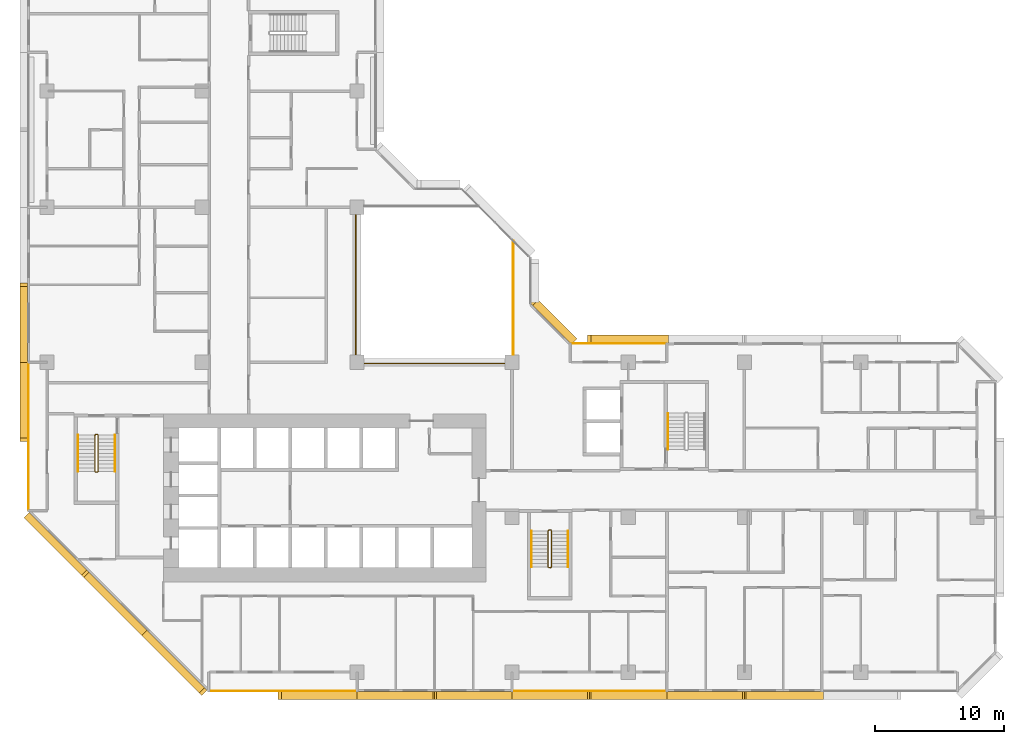
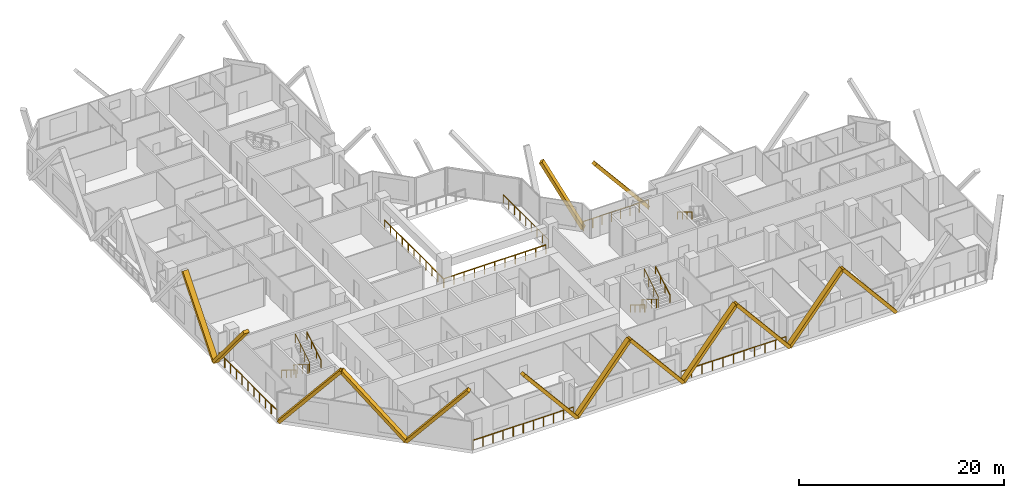
# One storey, part 14 of 15: 14 coverings, 13 railings.
"""IFC4 building model written with IfcOpenShell, lengths in metres."""

from ifc_helpers import new_model, si_unit, direction, frame, origin, origin_2d, place, context, subcontext, project, spatial, rectangle, extrude, material, material_profile, profile_set, type_object, element, save


model = new_model("IFC4")

# Units and contexts
model_context = context("Model", 3, precision=1e-05, world=origin(), true_north=direction((0.0, 1.0)))
body_context = subcontext(model_context, "Body", "Model", "MODEL_VIEW")
ifc_project = project(units=[si_unit("LENGTHUNIT", "METRE"), si_unit("AREAUNIT", "SQUARE_METRE"), si_unit("VOLUMEUNIT", "CUBIC_METRE"), si_unit("PLANEANGLEUNIT", "RADIAN"), si_unit("MASSUNIT", "GRAM", prefix="KILO")], contexts=[model_context])

# Site, building, storey
site_placement = place(None, origin())
site = spatial("IfcSite", under=ifc_project, at=site_placement, CompositionType="ELEMENT")
building_placement = place(site_placement, origin())
building = spatial("IfcBuilding", under=site, at=building_placement, Name="Chenar Terraces", CompositionType="ELEMENT")
storey_placement = place(building_placement, frame((0.0, 0.0, 41.39990234375)))
storey = spatial("IfcBuildingStorey", under=building, at=storey_placement, Name="L07", CompositionType="ELEMENT", Elevation=41.39990234375)

# Railings
ifc_material_1 = material(Name="Powder-coated steel", Category="steel")
railing_type_1 = type_object("IfcRailingType", Name="Guard 1100 steel rail with glass infill", PredefinedType="GUARDRAIL", material=ifc_material_1)
railing_1_placement = place(storey_placement, frame((23.89990234375, 35.449951171875, 0.0)))
element("IfcRailing", 1, at=railing_1_placement, inside=storey, type_object=railing_type_1, Name="Guard L07-1", PredefinedType="GUARDRAIL", context=body_context, shape_type="SweptSolid", body=[
    extrude(rectangle(XDim=0.06005859375, YDim=0.06005859375, at=origin_2d()), frame((0.0, 0.0, 1.070068359375), z_axis=(0.0, -1.0, 0.0), x_axis=(1.0, 0.0, 0.0)), (0.0, 0.0, 1.0), 11.550048828125),
    extrude(rectangle(XDim=0.06005859375, YDim=0.06005859375, at=origin_2d()), frame((0.0, -11.550048828125, 1.070068359375), z_axis=(1.0, 0.0, 0.0), x_axis=(0.0, 1.0, 0.0)), (0.0, 0.0, 1.0), 11.550048828125),
    extrude(rectangle(XDim=0.050048828125, YDim=0.050048828125, at=origin_2d()), origin(), (0.0, 0.0, 1.0), 1.0400390625),
    extrude(rectangle(XDim=0.050048828125, YDim=0.050048828125, at=origin_2d()), frame((0.0, -1.155029296875, 0.0)), (0.0, 0.0, 1.0), 1.0400390625),
    extrude(rectangle(XDim=0.050048828125, YDim=0.050048828125, at=origin_2d()), frame((0.0, -2.31005859375, 0.0)), (0.0, 0.0, 1.0), 1.0400390625),
    extrude(rectangle(XDim=0.050048828125, YDim=0.050048828125, at=origin_2d()), frame((0.0, -3.465087890625, 0.0)), (0.0, 0.0, 1.0), 1.0400390625),
    extrude(rectangle(XDim=0.050048828125, YDim=0.050048828125, at=origin_2d()), frame((0.0, -4.6201171875, 0.0)), (0.0, 0.0, 1.0), 1.0400390625),
    extrude(rectangle(XDim=0.050048828125, YDim=0.050048828125, at=origin_2d()), frame((0.0, -5.77490234375, 0.0)), (0.0, 0.0, 1.0), 1.0400390625),
    extrude(rectangle(XDim=0.050048828125, YDim=0.050048828125, at=origin_2d()), frame((0.0, -6.929931640625, 0.0)), (0.0, 0.0, 1.0), 1.0400390625),
    extrude(rectangle(XDim=0.050048828125, YDim=0.050048828125, at=origin_2d()), frame((0.0, -8.0849609375, 0.0)), (0.0, 0.0, 1.0), 1.0400390625),
    extrude(rectangle(XDim=0.050048828125, YDim=0.050048828125, at=origin_2d()), frame((0.0, -9.239990234375, 0.0)), (0.0, 0.0, 1.0), 1.0400390625),
    extrude(rectangle(XDim=0.050048828125, YDim=0.050048828125, at=origin_2d()), frame((0.0, -10.39501953125, 0.0)), (0.0, 0.0, 1.0), 1.0400390625),
    extrude(rectangle(XDim=0.050048828125, YDim=0.050048828125, at=origin_2d()), frame((0.0, -11.550048828125, 0.0)), (0.0, 0.0, 1.0), 1.0400390625),
    extrude(rectangle(XDim=0.050048828125, YDim=0.050048828125, at=origin_2d()), frame((1.155029296875, -11.550048828125, 0.0)), (0.0, 0.0, 1.0), 1.0400390625),
    extrude(rectangle(XDim=0.050048828125, YDim=0.050048828125, at=origin_2d()), frame((2.31005859375, -11.550048828125, 0.0)), (0.0, 0.0, 1.0), 1.0400390625),
    extrude(rectangle(XDim=0.050048828125, YDim=0.050048828125, at=origin_2d()), frame((3.465087890625, -11.550048828125, 0.0)), (0.0, 0.0, 1.0), 1.0400390625),
    extrude(rectangle(XDim=0.050048828125, YDim=0.050048828125, at=origin_2d()), frame((4.6201171875, -11.550048828125, 0.0)), (0.0, 0.0, 1.0), 1.0400390625),
    extrude(rectangle(XDim=0.050048828125, YDim=0.050048828125, at=origin_2d()), frame((5.77490234375, -11.550048828125, 0.0)), (0.0, 0.0, 1.0), 1.0400390625),
    extrude(rectangle(XDim=0.050048828125, YDim=0.050048828125, at=origin_2d()), frame((6.929931640625, -11.550048828125, 0.0)), (0.0, 0.0, 1.0), 1.0400390625),
    extrude(rectangle(XDim=0.050048828125, YDim=0.050048828125, at=origin_2d()), frame((8.0849609375, -11.550048828125, 0.0)), (0.0, 0.0, 1.0), 1.0400390625),
    extrude(rectangle(XDim=0.050048828125, YDim=0.050048828125, at=origin_2d()), frame((9.239990234375, -11.550048828125, 0.0)), (0.0, 0.0, 1.0), 1.0400390625),
    extrude(rectangle(XDim=0.050048828125, YDim=0.050048828125, at=origin_2d()), frame((10.39501953125, -11.550048828125, 0.0)), (0.0, 0.0, 1.0), 1.0400390625),
    extrude(rectangle(XDim=0.050048828125, YDim=0.050048828125, at=origin_2d()), frame((11.550048828125, -11.550048828125, 0.0)), (0.0, 0.0, 1.0), 1.0400390625),
])
railing_2_placement = place(storey_placement, frame((36.10009765625, 24.60009765625, 0.0)))
element("IfcRailing", 2, at=railing_2_placement, inside=storey, type_object=railing_type_1, Name="Guard L07-3", PredefinedType="GUARDRAIL", context=body_context, shape_type="SweptSolid", body=[
    extrude(rectangle(XDim=0.06005859375, YDim=0.06005859375, at=origin_2d()), frame((0.0, 0.0, 1.070068359375), z_axis=(0.0, 1.0, 0.0), x_axis=(-1.0, 0.0, 0.0)), (0.0, 0.0, 1.0), 8.7998046875),
    extrude(rectangle(XDim=0.050048828125, YDim=0.050048828125, at=origin_2d()), origin(), (0.0, 0.0, 1.0), 1.0400390625),
    extrude(rectangle(XDim=0.050048828125, YDim=0.050048828125, at=origin_2d()), frame((0.0, 1.10009765625, 0.0)), (0.0, 0.0, 1.0), 1.0400390625),
    extrude(rectangle(XDim=0.050048828125, YDim=0.050048828125, at=origin_2d()), frame((0.0, 2.199951171875, 0.0)), (0.0, 0.0, 1.0), 1.0400390625),
    extrude(rectangle(XDim=0.050048828125, YDim=0.050048828125, at=origin_2d()), frame((0.0, 3.2998046875, 0.0)), (0.0, 0.0, 1.0), 1.0400390625),
    extrude(rectangle(XDim=0.050048828125, YDim=0.050048828125, at=origin_2d()), frame((0.0, 4.39990234375, 0.0)), (0.0, 0.0, 1.0), 1.0400390625),
    extrude(rectangle(XDim=0.050048828125, YDim=0.050048828125, at=origin_2d()), frame((0.0, 5.5, 0.0)), (0.0, 0.0, 1.0), 1.0400390625),
    extrude(rectangle(XDim=0.050048828125, YDim=0.050048828125, at=origin_2d()), frame((0.0, 6.599853515625, 0.0)), (0.0, 0.0, 1.0), 1.0400390625),
    extrude(rectangle(XDim=0.050048828125, YDim=0.050048828125, at=origin_2d()), frame((0.0, 7.69970703125, 0.0)), (0.0, 0.0, 1.0), 1.0400390625),
    extrude(rectangle(XDim=0.050048828125, YDim=0.050048828125, at=origin_2d()), frame((0.0, 8.7998046875, 0.0)), (0.0, 0.0, 1.0), 1.0400390625),
])
ifc_material_2 = material(Name="Stainless steel and glass", Category="steel")
railing_type_2 = type_object("IfcRailingType", Name="Loggia guard 1150", PredefinedType="GUARDRAIL", material=ifc_material_2)
railing_3_placement = place(storey_placement, frame((47.925048828125, 25.449951171875, 0.0)))
element("IfcRailing", 3, at=railing_3_placement, inside=storey, type_object=railing_type_2, Name="Loggia guard", PredefinedType="GUARDRAIL", context=body_context, shape_type="SweptSolid", body=[
    extrude(rectangle(XDim=0.048095703125, YDim=0.048095703125, at=origin_2d()), frame((0.0, 0.0, 1.1259765625), z_axis=(-1.0, 0.0, 0.0), x_axis=(0.0, -1.0, 0.0)), (0.0, 0.0, 1.0), 7.35009765625),
    extrude(rectangle(XDim=0.0419921875, YDim=0.0419921875, at=origin_2d()), origin(), (0.0, 0.0, 1.0), 1.101806640625),
    extrude(rectangle(XDim=0.0419921875, YDim=0.0419921875, at=origin_2d()), frame((-1.050048828125, 0.0, 0.0)), (0.0, 0.0, 1.0), 1.101806640625),
    extrude(rectangle(XDim=0.0419921875, YDim=0.0419921875, at=origin_2d()), frame((-2.10009765625, 0.0, 0.0)), (0.0, 0.0, 1.0), 1.101806640625),
    extrude(rectangle(XDim=0.0419921875, YDim=0.0419921875, at=origin_2d()), frame((-3.150146484375, 0.0, 0.0)), (0.0, 0.0, 1.0), 1.101806640625),
    extrude(rectangle(XDim=0.0419921875, YDim=0.0419921875, at=origin_2d()), frame((-4.199951171875, 0.0, 0.0)), (0.0, 0.0, 1.0), 1.101806640625),
    extrude(rectangle(XDim=0.0419921875, YDim=0.0419921875, at=origin_2d()), frame((-5.25, 0.0, 0.0)), (0.0, 0.0, 1.0), 1.101806640625),
    extrude(rectangle(XDim=0.0419921875, YDim=0.0419921875, at=origin_2d()), frame((-6.300048828125, 0.0, 0.0)), (0.0, 0.0, 1.0), 1.101806640625),
    extrude(rectangle(XDim=0.0419921875, YDim=0.0419921875, at=origin_2d()), frame((-7.35009765625, 0.0, 0.0)), (0.0, 0.0, 1.0), 1.101806640625),
])
railing_4_placement = place(storey_placement, frame((12.574951171875, -1.449951171875, 0.0)))
element("IfcRailing", 4, at=railing_4_placement, inside=storey, type_object=railing_type_2, Name="Loggia guard", PredefinedType="GUARDRAIL", context=body_context, shape_type="SweptSolid", body=[
    extrude(rectangle(XDim=0.048095703125, YDim=0.048095703125, at=origin_2d()), frame((0.0, 0.0, 1.1259765625), z_axis=(1.0, 0.0, 0.0), x_axis=(0.0, 1.0, 0.0)), (0.0, 0.0, 1.0), 11.35009765625),
    extrude(rectangle(XDim=0.0419921875, YDim=0.0419921875, at=origin_2d()), origin(), (0.0, 0.0, 1.0), 1.101806640625),
    extrude(rectangle(XDim=0.0419921875, YDim=0.0419921875, at=origin_2d()), frame((1.135009765625, 0.0, 0.0)), (0.0, 0.0, 1.0), 1.101806640625),
    extrude(rectangle(XDim=0.0419921875, YDim=0.0419921875, at=origin_2d()), frame((2.27001953125, 0.0, 0.0)), (0.0, 0.0, 1.0), 1.101806640625),
    extrude(rectangle(XDim=0.0419921875, YDim=0.0419921875, at=origin_2d()), frame((3.405029296875, 0.0, 0.0)), (0.0, 0.0, 1.0), 1.101806640625),
    extrude(rectangle(XDim=0.0419921875, YDim=0.0419921875, at=origin_2d()), frame((4.5400390625, 0.0, 0.0)), (0.0, 0.0, 1.0), 1.101806640625),
    extrude(rectangle(XDim=0.0419921875, YDim=0.0419921875, at=origin_2d()), frame((5.675048828125, 0.0, 0.0)), (0.0, 0.0, 1.0), 1.101806640625),
    extrude(rectangle(XDim=0.0419921875, YDim=0.0419921875, at=origin_2d()), frame((6.81005859375, 0.0, 0.0)), (0.0, 0.0, 1.0), 1.101806640625),
    extrude(rectangle(XDim=0.0419921875, YDim=0.0419921875, at=origin_2d()), frame((7.945068359375, 0.0, 0.0)), (0.0, 0.0, 1.0), 1.101806640625),
    extrude(rectangle(XDim=0.0419921875, YDim=0.0419921875, at=origin_2d()), frame((9.080078125, 0.0, 0.0)), (0.0, 0.0, 1.0), 1.101806640625),
    extrude(rectangle(XDim=0.0419921875, YDim=0.0419921875, at=origin_2d()), frame((10.215087890625, 0.0, 0.0)), (0.0, 0.0, 1.0), 1.101806640625),
    extrude(rectangle(XDim=0.0419921875, YDim=0.0419921875, at=origin_2d()), frame((11.35009765625, 0.0, 0.0)), (0.0, 0.0, 1.0), 1.101806640625),
])
railing_5_placement = place(storey_placement, frame((36.074951171875, -1.449951171875, 0.0)))
element("IfcRailing", 5, at=railing_5_placement, inside=storey, type_object=railing_type_2, Name="Loggia guard", PredefinedType="GUARDRAIL", context=body_context, shape_type="SweptSolid", body=[
    extrude(rectangle(XDim=0.048095703125, YDim=0.048095703125, at=origin_2d()), frame((0.0, 0.0, 1.1259765625), z_axis=(1.0, 0.0, 0.0), x_axis=(0.0, 1.0, 0.0)), (0.0, 0.0, 1.0), 11.85009765625),
    extrude(rectangle(XDim=0.0419921875, YDim=0.0419921875, at=origin_2d()), origin(), (0.0, 0.0, 1.0), 1.101806640625),
    extrude(rectangle(XDim=0.0419921875, YDim=0.0419921875, at=origin_2d()), frame((1.18505859375, 0.0, 0.0)), (0.0, 0.0, 1.0), 1.101806640625),
    extrude(rectangle(XDim=0.0419921875, YDim=0.0419921875, at=origin_2d()), frame((2.3701171875, 0.0, 0.0)), (0.0, 0.0, 1.0), 1.101806640625),
    extrude(rectangle(XDim=0.0419921875, YDim=0.0419921875, at=origin_2d()), frame((3.554931640625, 0.0, 0.0)), (0.0, 0.0, 1.0), 1.101806640625),
    extrude(rectangle(XDim=0.0419921875, YDim=0.0419921875, at=origin_2d()), frame((4.739990234375, 0.0, 0.0)), (0.0, 0.0, 1.0), 1.101806640625),
    extrude(rectangle(XDim=0.0419921875, YDim=0.0419921875, at=origin_2d()), frame((5.925048828125, 0.0, 0.0)), (0.0, 0.0, 1.0), 1.101806640625),
    extrude(rectangle(XDim=0.0419921875, YDim=0.0419921875, at=origin_2d()), frame((7.110107421875, 0.0, 0.0)), (0.0, 0.0, 1.0), 1.101806640625),
    extrude(rectangle(XDim=0.0419921875, YDim=0.0419921875, at=origin_2d()), frame((8.295166015625, 0.0, 0.0)), (0.0, 0.0, 1.0), 1.101806640625),
    extrude(rectangle(XDim=0.0419921875, YDim=0.0419921875, at=origin_2d()), frame((9.47998046875, 0.0, 0.0)), (0.0, 0.0, 1.0), 1.101806640625),
    extrude(rectangle(XDim=0.0419921875, YDim=0.0419921875, at=origin_2d()), frame((10.6650390625, 0.0, 0.0)), (0.0, 0.0, 1.0), 1.101806640625),
    extrude(rectangle(XDim=0.0419921875, YDim=0.0419921875, at=origin_2d()), frame((11.85009765625, 0.0, 0.0)), (0.0, 0.0, 1.0), 1.101806640625),
])
railing_6_placement = place(storey_placement, frame((-1.449951171875, 23.925048828125, 0.0)))
element("IfcRailing", 6, at=railing_6_placement, inside=storey, type_object=railing_type_2, Name="Loggia guard", PredefinedType="GUARDRAIL", context=body_context, shape_type="SweptSolid", body=[
    extrude(rectangle(XDim=0.048095703125, YDim=0.048095703125, at=origin_2d()), frame((0.0, 0.0, 1.1259765625), z_axis=(0.0, -1.0, 0.0), x_axis=(1.0, 0.0, 0.0)), (0.0, 0.0, 1.0), 11.35009765625),
    extrude(rectangle(XDim=0.0419921875, YDim=0.0419921875, at=origin_2d()), origin(), (0.0, 0.0, 1.0), 1.101806640625),
    extrude(rectangle(XDim=0.0419921875, YDim=0.0419921875, at=origin_2d()), frame((0.0, -1.135009765625, 0.0)), (0.0, 0.0, 1.0), 1.101806640625),
    extrude(rectangle(XDim=0.0419921875, YDim=0.0419921875, at=origin_2d()), frame((0.0, -2.27001953125, 0.0)), (0.0, 0.0, 1.0), 1.101806640625),
    extrude(rectangle(XDim=0.0419921875, YDim=0.0419921875, at=origin_2d()), frame((0.0, -3.405029296875, 0.0)), (0.0, 0.0, 1.0), 1.101806640625),
    extrude(rectangle(XDim=0.0419921875, YDim=0.0419921875, at=origin_2d()), frame((0.0, -4.5400390625, 0.0)), (0.0, 0.0, 1.0), 1.101806640625),
    extrude(rectangle(XDim=0.0419921875, YDim=0.0419921875, at=origin_2d()), frame((0.0, -5.675048828125, 0.0)), (0.0, 0.0, 1.0), 1.101806640625),
    extrude(rectangle(XDim=0.0419921875, YDim=0.0419921875, at=origin_2d()), frame((0.0, -6.81005859375, 0.0)), (0.0, 0.0, 1.0), 1.101806640625),
    extrude(rectangle(XDim=0.0419921875, YDim=0.0419921875, at=origin_2d()), frame((0.0, -7.945068359375, 0.0)), (0.0, 0.0, 1.0), 1.101806640625),
    extrude(rectangle(XDim=0.0419921875, YDim=0.0419921875, at=origin_2d()), frame((0.0, -9.080078125, 0.0)), (0.0, 0.0, 1.0), 1.101806640625),
    extrude(rectangle(XDim=0.0419921875, YDim=0.0419921875, at=origin_2d()), frame((0.0, -10.215087890625, 0.0)), (0.0, 0.0, 1.0), 1.101806640625),
    extrude(rectangle(XDim=0.0419921875, YDim=0.0419921875, at=origin_2d()), frame((0.0, -11.35009765625, 0.0)), (0.0, 0.0, 1.0), 1.101806640625),
])
ifc_material_3 = material(Name="Powder-coated steel", Category="steel")
railing_type_3 = type_object("IfcRailingType", Name="Stair guard 1100", PredefinedType="GUARDRAIL", material=ifc_material_3)
railing_7_placement = place(storey_placement, frame((3.949951171875, 18.35009765625, 3.75)))
element("IfcRailing", 7, at=railing_7_placement, inside=storey, type_object=railing_type_3, Name="L07 ST1 stair guard 1", PredefinedType="GUARDRAIL", context=body_context, shape_type="SweptSolid", body=[
    extrude(rectangle(XDim=0.048095703125, YDim=0.048095703125, at=origin_2d()), frame((0.0, 0.0, 1.076171875), z_axis=(0.0, -0.854202870247, -0.519939858505), x_axis=(1.0, 0.0, 0.0)), (0.0, 0.0, 1.0), 3.278076171875),
    extrude(rectangle(XDim=0.048095703125, YDim=0.048095703125, at=origin_2d()), frame((0.0, -2.800048828125, -0.62841796875), z_axis=(-0.270899902878, -0.270899902878, -0.923702595667), x_axis=(0.707106781187, -0.707106781187, 0.0)), (0.0, 0.0, 1.0), 0.184814453125),
    extrude(rectangle(XDim=0.048095703125, YDim=0.048095703125, at=origin_2d()), frame((-0.050048828125, -2.85009765625, -0.798828125), z_axis=(-1.0, 0.0, 0.0), x_axis=(0.0, -1.0, 0.0)), (0.0, 0.0, 1.0), 0.14990234375),
    extrude(rectangle(XDim=0.048095703125, YDim=0.048095703125, at=origin_2d()), frame((-0.199951171875, -2.85009765625, -0.798828125), z_axis=(-0.707106781187, 0.707106781187, 0.0), x_axis=(-0.707106781187, -0.707106781187, 0.0)), (0.0, 0.0, 1.0), 0.07080078125),
    extrude(rectangle(XDim=0.048095703125, YDim=0.048095703125, at=origin_2d()), frame((-0.25, -2.800048828125, -0.798828125), z_axis=(0.0, 0.854202870247, -0.519939858505), x_axis=(-1.0, 0.0, 0.0)), (0.0, 0.0, 1.0), 3.278076171875),
    extrude(rectangle(XDim=0.048095703125, YDim=0.048095703125, at=origin_2d()), frame((-0.25, 0.0, -2.50341796875), z_axis=(0.270996696079, 0.269674760976, -0.924032636873), x_axis=(-0.705375805398, 0.708833529934, 0.0)), (0.0, 0.0, 1.0), 0.1845703125),
    extrude(rectangle(XDim=0.048095703125, YDim=0.048095703125, at=origin_2d()), frame((-0.199951171875, 0.0498046875, -2.673828125), z_axis=(1.0, 0.0, 0.0), x_axis=(0.0, 1.0, 0.0)), (0.0, 0.0, 1.0), 0.14990234375),
    extrude(rectangle(XDim=0.0419921875, YDim=0.0419921875, at=origin_2d()), origin(), (0.0, 0.0, 1.0), 1.052001953125),
    extrude(rectangle(XDim=0.0419921875, YDim=0.0419921875, at=origin_2d()), frame((0.0, -0.933349609375, -0.568115234375)), (0.0, 0.0, 1.0), 1.052001953125),
    extrude(rectangle(XDim=0.0419921875, YDim=0.0419921875, at=origin_2d()), frame((0.0, -1.86669921875, -1.13623046875)), (0.0, 0.0, 1.0), 1.052001953125),
    extrude(rectangle(XDim=0.0419921875, YDim=0.0419921875, at=origin_2d()), frame((0.0, -2.800048828125, -1.704345703125)), (0.0, 0.0, 1.0), 1.052001953125),
    extrude(rectangle(XDim=0.0419921875, YDim=0.0419921875, at=origin_2d()), frame((-0.050048828125, -2.85009765625, -1.875)), (0.0, 0.0, 1.0), 1.052001953125),
    extrude(rectangle(XDim=0.0419921875, YDim=0.0419921875, at=origin_2d()), frame((-0.199951171875, -2.85009765625, -1.875)), (0.0, 0.0, 1.0), 1.052001953125),
    extrude(rectangle(XDim=0.0419921875, YDim=0.0419921875, at=origin_2d()), frame((-0.25, -2.800048828125, -1.875)), (0.0, 0.0, 1.0), 1.052001953125),
    extrude(rectangle(XDim=0.0419921875, YDim=0.0419921875, at=origin_2d()), frame((-0.25, -1.86669921875, -2.443115234375)), (0.0, 0.0, 1.0), 1.052001953125),
    extrude(rectangle(XDim=0.0419921875, YDim=0.0419921875, at=origin_2d()), frame((-0.25, -0.933349609375, -3.01123046875)), (0.0, 0.0, 1.0), 1.052001953125),
    extrude(rectangle(XDim=0.0419921875, YDim=0.0419921875, at=origin_2d()), frame((-0.25, 0.0, -3.579345703125)), (0.0, 0.0, 1.0), 1.052001953125),
    extrude(rectangle(XDim=0.0419921875, YDim=0.0419921875, at=origin_2d()), frame((-0.199951171875, 0.0498046875, -3.75)), (0.0, 0.0, 1.0), 1.052001953125),
    extrude(rectangle(XDim=0.0419921875, YDim=0.0419921875, at=origin_2d()), frame((-0.050048828125, 0.0498046875, -3.75)), (0.0, 0.0, 1.0), 1.052001953125),
])
railing_8_placement = place(storey_placement, frame((39.050048828125, 10.949951171875, 3.75)))
element("IfcRailing", 8, at=railing_8_placement, inside=storey, type_object=railing_type_3, Name="L07 ST2 stair guard 1", PredefinedType="GUARDRAIL", context=body_context, shape_type="SweptSolid", body=[
    extrude(rectangle(XDim=0.048095703125, YDim=0.048095703125, at=origin_2d()), frame((0.0, 0.0, 1.076171875), z_axis=(0.0, -0.854202870247, -0.519939858505), x_axis=(1.0, 0.0, 0.0)), (0.0, 0.0, 1.0), 3.278076171875),
    extrude(rectangle(XDim=0.048095703125, YDim=0.048095703125, at=origin_2d()), frame((0.0, -2.800048828125, -0.62841796875), z_axis=(-0.270996696079, -0.269674760976, -0.924032636873), x_axis=(0.705375805398, -0.708833529934, 0.0)), (0.0, 0.0, 1.0), 0.1845703125),
    extrude(rectangle(XDim=0.048095703125, YDim=0.048095703125, at=origin_2d()), frame((-0.050048828125, -2.849853515625, -0.798828125), z_axis=(-1.0, 0.0, 0.0), x_axis=(0.0, -1.0, 0.0)), (0.0, 0.0, 1.0), 0.14990234375),
    extrude(rectangle(XDim=0.048095703125, YDim=0.048095703125, at=origin_2d()), frame((-0.199951171875, -2.849853515625, -0.798828125), z_axis=(-0.708833529934, 0.705375805398, 0.0), x_axis=(-0.705375805398, -0.708833529934, 0.0)), (0.0, 0.0, 1.0), 0.070556640625),
    extrude(rectangle(XDim=0.048095703125, YDim=0.048095703125, at=origin_2d()), frame((-0.25, -2.800048828125, -0.798828125), z_axis=(0.0, 0.854202870247, -0.519939858505), x_axis=(-1.0, 0.0, 0.0)), (0.0, 0.0, 1.0), 3.278076171875),
    extrude(rectangle(XDim=0.048095703125, YDim=0.048095703125, at=origin_2d()), frame((-0.25, 0.0, -2.50341796875), z_axis=(0.270899902878, 0.270899902878, -0.923702595667), x_axis=(-0.707106781187, 0.707106781187, 0.0)), (0.0, 0.0, 1.0), 0.184814453125),
    extrude(rectangle(XDim=0.048095703125, YDim=0.048095703125, at=origin_2d()), frame((-0.199951171875, 0.050048828125, -2.673828125), z_axis=(1.0, 0.0, 0.0), x_axis=(0.0, 1.0, 0.0)), (0.0, 0.0, 1.0), 0.14990234375),
    extrude(rectangle(XDim=0.0419921875, YDim=0.0419921875, at=origin_2d()), origin(), (0.0, 0.0, 1.0), 1.052001953125),
    extrude(rectangle(XDim=0.0419921875, YDim=0.0419921875, at=origin_2d()), frame((0.0, -0.933349609375, -0.568115234375)), (0.0, 0.0, 1.0), 1.052001953125),
    extrude(rectangle(XDim=0.0419921875, YDim=0.0419921875, at=origin_2d()), frame((0.0, -1.86669921875, -1.13623046875)), (0.0, 0.0, 1.0), 1.052001953125),
    extrude(rectangle(XDim=0.0419921875, YDim=0.0419921875, at=origin_2d()), frame((0.0, -2.800048828125, -1.704345703125)), (0.0, 0.0, 1.0), 1.052001953125),
    extrude(rectangle(XDim=0.0419921875, YDim=0.0419921875, at=origin_2d()), frame((-0.050048828125, -2.849853515625, -1.875)), (0.0, 0.0, 1.0), 1.052001953125),
    extrude(rectangle(XDim=0.0419921875, YDim=0.0419921875, at=origin_2d()), frame((-0.199951171875, -2.849853515625, -1.875)), (0.0, 0.0, 1.0), 1.052001953125),
    extrude(rectangle(XDim=0.0419921875, YDim=0.0419921875, at=origin_2d()), frame((-0.25, -2.800048828125, -1.875)), (0.0, 0.0, 1.0), 1.052001953125),
    extrude(rectangle(XDim=0.0419921875, YDim=0.0419921875, at=origin_2d()), frame((-0.25, -1.86669921875, -2.443115234375)), (0.0, 0.0, 1.0), 1.052001953125),
    extrude(rectangle(XDim=0.0419921875, YDim=0.0419921875, at=origin_2d()), frame((-0.25, -0.933349609375, -3.01123046875)), (0.0, 0.0, 1.0), 1.052001953125),
    extrude(rectangle(XDim=0.0419921875, YDim=0.0419921875, at=origin_2d()), frame((-0.25, 0.0, -3.579345703125)), (0.0, 0.0, 1.0), 1.052001953125),
    extrude(rectangle(XDim=0.0419921875, YDim=0.0419921875, at=origin_2d()), frame((-0.199951171875, 0.050048828125, -3.75)), (0.0, 0.0, 1.0), 1.052001953125),
    extrude(rectangle(XDim=0.0419921875, YDim=0.0419921875, at=origin_2d()), frame((-0.050048828125, 0.050048828125, -3.75)), (0.0, 0.0, 1.0), 1.052001953125),
])
ifc_material_4 = material(Name="Powder-coated steel", Category="steel")
railing_type_4 = type_object("IfcRailingType", Name="Stair handrail 900", PredefinedType="HANDRAIL", material=ifc_material_4)
railing_9_placement = place(storey_placement, frame((2.39990234375, 18.35009765625, 0.170654296875)))
element("IfcRailing", 9, at=railing_9_placement, inside=storey, type_object=railing_type_4, Name="L07 ST1 stair handrail 1", PredefinedType="HANDRAIL", context=body_context, shape_type="SweptSolid", body=[
    extrude(rectangle(XDim=0.048095703125, YDim=0.048095703125, at=origin_2d()), frame((0.0, 0.0, 0.8759765625), z_axis=(0.0, -0.854202870247, 0.519939858505), x_axis=(1.0, 0.0, 0.0)), (0.0, 0.0, 1.0), 3.278076171875),
    extrude(rectangle(XDim=0.0419921875, YDim=0.0419921875, at=origin_2d()), origin(), (0.0, 0.0, 1.0), 0.851806640625),
    extrude(rectangle(XDim=0.0419921875, YDim=0.0419921875, at=origin_2d()), frame((0.0, -0.933349609375, 0.568115234375)), (0.0, 0.0, 1.0), 0.851806640625),
    extrude(rectangle(XDim=0.0419921875, YDim=0.0419921875, at=origin_2d()), frame((0.0, -1.86669921875, 1.13623046875)), (0.0, 0.0, 1.0), 0.851806640625),
    extrude(rectangle(XDim=0.0419921875, YDim=0.0419921875, at=origin_2d()), frame((0.0, -2.800048828125, 1.704345703125)), (0.0, 0.0, 1.0), 0.851806640625),
])
railing_10_placement = place(storey_placement, frame((5.25, 15.550048828125, 2.045654296875)))
element("IfcRailing", 10, at=railing_10_placement, inside=storey, type_object=railing_type_4, Name="L07 ST1 stair handrail 2", PredefinedType="HANDRAIL", context=body_context, shape_type="SweptSolid", body=[
    extrude(rectangle(XDim=0.048095703125, YDim=0.048095703125, at=origin_2d()), frame((0.0, 0.0, 0.8759765625), z_axis=(0.0, 0.854202870247, 0.519939858505), x_axis=(-1.0, 0.0, 0.0)), (0.0, 0.0, 1.0), 3.278076171875),
    extrude(rectangle(XDim=0.0419921875, YDim=0.0419921875, at=origin_2d()), origin(), (0.0, 0.0, 1.0), 0.851806640625),
    extrude(rectangle(XDim=0.0419921875, YDim=0.0419921875, at=origin_2d()), frame((0.0, 0.933349609375, 0.568115234375)), (0.0, 0.0, 1.0), 0.851806640625),
    extrude(rectangle(XDim=0.0419921875, YDim=0.0419921875, at=origin_2d()), frame((0.0, 1.86669921875, 1.13623046875)), (0.0, 0.0, 1.0), 0.851806640625),
    extrude(rectangle(XDim=0.0419921875, YDim=0.0419921875, at=origin_2d()), frame((0.0, 2.800048828125, 1.704345703125)), (0.0, 0.0, 1.0), 0.851806640625),
])
railing_11_placement = place(storey_placement, frame((37.5, 10.949951171875, 0.170654296875)))
element("IfcRailing", 11, at=railing_11_placement, inside=storey, type_object=railing_type_4, Name="L07 ST2 stair handrail 1", PredefinedType="HANDRAIL", context=body_context, shape_type="SweptSolid", body=[
    extrude(rectangle(XDim=0.048095703125, YDim=0.048095703125, at=origin_2d()), frame((0.0, 0.0, 0.8759765625), z_axis=(0.0, -0.854202870247, 0.519939858505), x_axis=(1.0, 0.0, 0.0)), (0.0, 0.0, 1.0), 3.278076171875),
    extrude(rectangle(XDim=0.0419921875, YDim=0.0419921875, at=origin_2d()), origin(), (0.0, 0.0, 1.0), 0.851806640625),
    extrude(rectangle(XDim=0.0419921875, YDim=0.0419921875, at=origin_2d()), frame((0.0, -0.933349609375, 0.568115234375)), (0.0, 0.0, 1.0), 0.851806640625),
    extrude(rectangle(XDim=0.0419921875, YDim=0.0419921875, at=origin_2d()), frame((0.0, -1.86669921875, 1.13623046875)), (0.0, 0.0, 1.0), 0.851806640625),
    extrude(rectangle(XDim=0.0419921875, YDim=0.0419921875, at=origin_2d()), frame((0.0, -2.800048828125, 1.704345703125)), (0.0, 0.0, 1.0), 0.851806640625),
])
railing_12_placement = place(storey_placement, frame((40.35009765625, 8.14990234375, 2.045654296875)))
element("IfcRailing", 12, at=railing_12_placement, inside=storey, type_object=railing_type_4, Name="L07 ST2 stair handrail 2", PredefinedType="HANDRAIL", context=body_context, shape_type="SweptSolid", body=[
    extrude(rectangle(XDim=0.048095703125, YDim=0.048095703125, at=origin_2d()), frame((0.0, 0.0, 0.8759765625), z_axis=(0.0, 0.854202870247, 0.519939858505), x_axis=(-1.0, 0.0, 0.0)), (0.0, 0.0, 1.0), 3.278076171875),
    extrude(rectangle(XDim=0.0419921875, YDim=0.0419921875, at=origin_2d()), origin(), (0.0, 0.0, 1.0), 0.851806640625),
    extrude(rectangle(XDim=0.0419921875, YDim=0.0419921875, at=origin_2d()), frame((0.0, 0.933349609375, 0.568115234375)), (0.0, 0.0, 1.0), 0.851806640625),
    extrude(rectangle(XDim=0.0419921875, YDim=0.0419921875, at=origin_2d()), frame((0.0, 1.86669921875, 1.13623046875)), (0.0, 0.0, 1.0), 0.851806640625),
    extrude(rectangle(XDim=0.0419921875, YDim=0.0419921875, at=origin_2d()), frame((0.0, 2.800048828125, 1.704345703125)), (0.0, 0.0, 1.0), 0.851806640625),
])
railing_13_placement = place(storey_placement, frame((48.074951171875, 20.050048828125, 2.045654296875)))
element("IfcRailing", 13, at=railing_13_placement, inside=storey, type_object=railing_type_4, Name="L07 ST3 stair handrail 2", PredefinedType="HANDRAIL", context=body_context, shape_type="SweptSolid", body=[
    extrude(rectangle(XDim=0.048095703125, YDim=0.048095703125, at=origin_2d()), frame((0.0, 0.0, 0.8759765625), z_axis=(0.0, -0.854202870247, 0.519939858505), x_axis=(1.0, 0.0, 0.0)), (0.0, 0.0, 1.0), 3.278076171875),
    extrude(rectangle(XDim=0.0419921875, YDim=0.0419921875, at=origin_2d()), origin(), (0.0, 0.0, 1.0), 0.851806640625),
    extrude(rectangle(XDim=0.0419921875, YDim=0.0419921875, at=origin_2d()), frame((0.0, -0.933349609375, 0.568115234375)), (0.0, 0.0, 1.0), 0.851806640625),
    extrude(rectangle(XDim=0.0419921875, YDim=0.0419921875, at=origin_2d()), frame((0.0, -1.86669921875, 1.13623046875)), (0.0, 0.0, 1.0), 0.851806640625),
    extrude(rectangle(XDim=0.0419921875, YDim=0.0419921875, at=origin_2d()), frame((0.0, -2.800048828125, 1.704345703125)), (0.0, 0.0, 1.0), 0.851806640625),
])

# Coverings
ifc_material_5 = material(Name="Terracotta", Category="masonry")
ifc_material_profile = material_profile(ifc_material_5, rectangle(XDim=0.60009765625, YDim=0.35009765625, at=origin_2d()), Name="Terracotta baguette 600 x 350")
ifc_profile_set = profile_set([ifc_material_profile], Name="Terracotta")
covering_type = type_object("IfcCoveringType", Name="Terracotta baguette 600 x 350", PredefinedType="CLADDING", material=ifc_profile_set)
covering_1_placement = place(storey_placement, frame((48.0, 25.800048828125, 0.150146484375), z_axis=(-0.640186961885, 0.0, 0.768219144407), x_axis=(0.0, -1.0, 0.0)))
element("IfcCovering", 14, at=covering_1_placement, inside=storey, type_object=covering_type, Name="Terracotta baguette", PredefinedType="CLADDING", context=body_context, shape_type="SweptSolid", body=[
    extrude(rectangle(XDim=0.60009765625, YDim=0.35009765625, at=origin_2d()), origin(), (0.0, 0.0, 1.0), 9.372314453125),
])
covering_2_placement = place(storey_placement, frame((40.712158203125, 25.712158203125, 0.150146484375), z_axis=(-0.358980886355, 0.358980886355, 0.861548284464), x_axis=(-0.707106781187, -0.707106781187, 0.0)))
element("IfcCovering", 15, at=covering_2_placement, inside=storey, type_object=covering_type, Name="Terracotta baguette", PredefinedType="CLADDING", context=body_context, shape_type="SweptSolid", body=[
    extrude(rectangle(XDim=0.60009765625, YDim=0.35009765625, at=origin_2d()), origin(), (0.0, 0.0, 1.0), 8.35693359375),
])
for number, where, z_axis, x_axis, name in (
    (16, (-1.800048828125, 30.0, 7.35009765625), (0.0, -0.640186961885, -0.768219144407), (1.0, 0.0, 0.0), "Terracotta baguette"),
    (17, (-1.800048828125, 24.0, 0.150146484375), (0.0, -0.640186961885, 0.768219144407), (1.0, 0.0, 0.0), "Terracotta baguette"),
):
    element("IfcCovering", number, at=place(storey_placement, frame(where, z_axis=z_axis, x_axis=x_axis)), inside=storey, type_object=covering_type, Name=name, PredefinedType="CLADDING", context=body_context, shape_type="SweptSolid", body=[
        extrude(rectangle(XDim=0.60009765625, YDim=0.35009765625, at=origin_2d()), origin(), (0.0, 0.0, 1.0), 9.372314453125),
    ])
covering_3_placement = place(storey_placement, frame((-1.5, 12.07568359375, 0.150146484375), z_axis=(0.465624035565, -0.465624035565, 0.752587878595), x_axis=(0.707106781187, 0.707106781187, 0.0)))
element("IfcCovering", 18, at=covering_3_placement, inside=storey, type_object=covering_type, Name="Terracotta baguette", PredefinedType="CLADDING", context=body_context, shape_type="SweptSolid", body=[
    extrude(rectangle(XDim=0.60009765625, YDim=0.35009765625, at=origin_2d()), origin(), (0.0, 0.0, 1.0), 9.56689453125),
])
covering_4_placement = place(storey_placement, frame((2.95458984375, 7.62109375, 7.35009765625), z_axis=(0.477788925607, -0.477788925607, -0.737180768289), x_axis=(0.707106781187, 0.707106781187, 0.0)))
element("IfcCovering", 19, at=covering_4_placement, inside=storey, type_object=covering_type, Name="Terracotta baguette", PredefinedType="CLADDING", context=body_context, shape_type="SweptSolid", body=[
    extrude(rectangle(XDim=0.60009765625, YDim=0.35009765625, at=origin_2d()), origin(), (0.0, 0.0, 1.0), 9.766845703125),
])
covering_5_placement = place(storey_placement, frame((7.62109375, 2.95458984375, 0.150146484375), z_axis=(0.465624035565, -0.465624035565, 0.752587878595), x_axis=(0.707106781187, 0.707106781187, 0.0)))
element("IfcCovering", 20, at=covering_5_placement, inside=storey, type_object=covering_type, Name="Terracotta baguette", PredefinedType="CLADDING", context=body_context, shape_type="SweptSolid", body=[
    extrude(rectangle(XDim=0.60009765625, YDim=0.35009765625, at=origin_2d()), origin(), (0.0, 0.0, 1.0), 9.56689453125),
])
for number, where, z_axis, x_axis, name in (
    (21, (18.0, -1.800048828125, 7.35009765625), (0.640186961885, 0.0, -0.768219144407), (0.0, 1.0, 0.0), "Terracotta baguette"),
    (22, (24.0, -1.800048828125, 0.150146484375), (0.640186961885, 0.0, 0.768219144407), (0.0, 1.0, 0.0), "Terracotta baguette"),
    (23, (30.0, -1.800048828125, 7.35009765625), (0.640186961885, 0.0, -0.768219144407), (0.0, 1.0, 0.0), "Terracotta baguette"),
    (24, (36.0, -1.800048828125, 0.150146484375), (0.640186961885, 0.0, 0.768219144407), (0.0, 1.0, 0.0), "Terracotta baguette"),
    (25, (42.0, -1.800048828125, 7.35009765625), (0.640186961885, 0.0, -0.768219144407), (0.0, 1.0, 0.0), "Terracotta baguette"),
    (26, (48.0, -1.800048828125, 0.150146484375), (0.640186961885, 0.0, 0.768219144407), (0.0, 1.0, 0.0), "Terracotta baguette"),
    (27, (54.0, -1.800048828125, 7.35009765625), (0.640186961885, 0.0, -0.768219144407), (0.0, 1.0, 0.0), "Terracotta baguette"),
):
    element("IfcCovering", number, at=place(storey_placement, frame(where, z_axis=z_axis, x_axis=x_axis)), inside=storey, type_object=covering_type, Name=name, PredefinedType="CLADDING", context=body_context, shape_type="SweptSolid", body=[
        extrude(rectangle(XDim=0.60009765625, YDim=0.35009765625, at=origin_2d()), origin(), (0.0, 0.0, 1.0), 9.372314453125),
    ])

save(model, "model.ifc")
